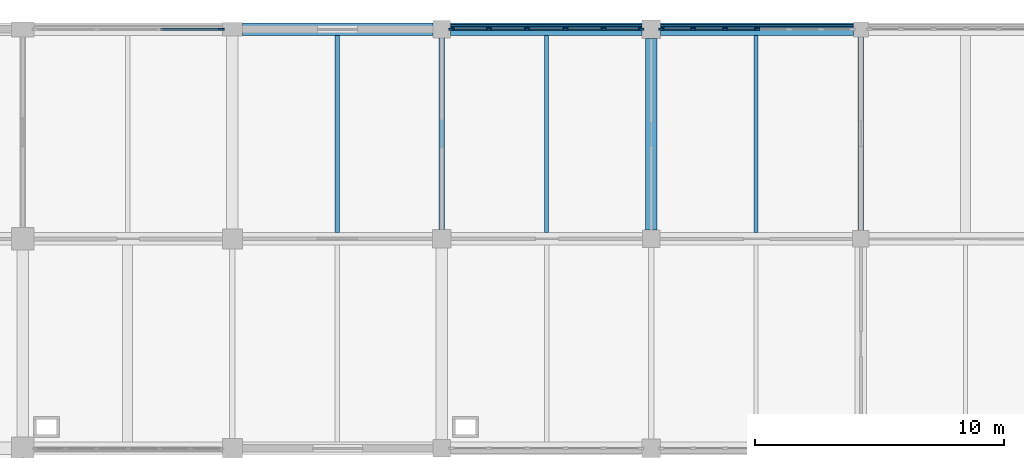
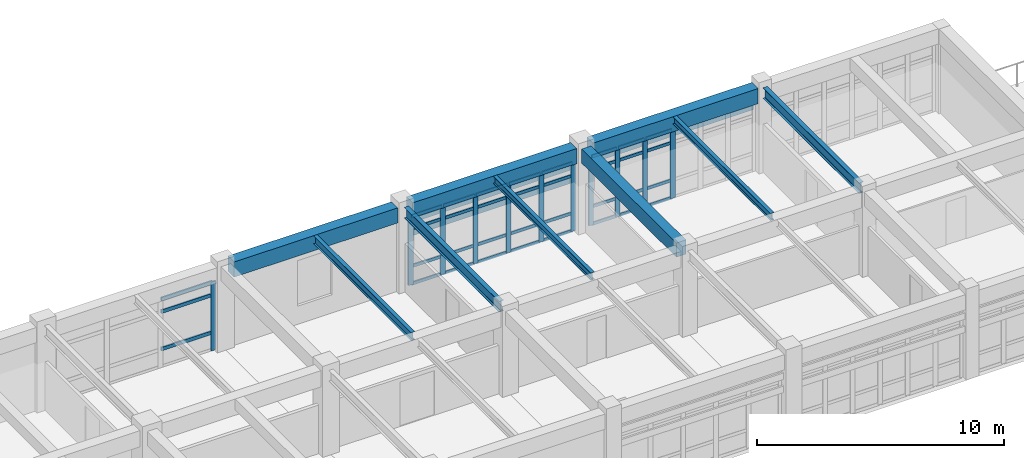
# One storey, part 55 of 99: 49 members, 9 beams, 3 elements without a shape of their own.
"""IFC4 building model written with IfcOpenShell, lengths in metres."""

from ifc_helpers import new_model, si_unit, direction, frame, origin, origin_2d, place, context, subcontext, project, spatial, rectangle, i_section, extrude, material, layer, layer_set, material_profile, profile_set, type_object, element, aggregate, save


model = new_model("IFC4")

# Units and contexts
model_context = context("Model", 3, precision=1e-05, world=origin(), true_north=direction((0.0, 1.0)))
body_context = subcontext(model_context, "Body", "Model", "MODEL_VIEW")
ifc_project = project(units=[si_unit("LENGTHUNIT", "METRE"), si_unit("AREAUNIT", "SQUARE_METRE"), si_unit("VOLUMEUNIT", "CUBIC_METRE"), si_unit("PLANEANGLEUNIT", "RADIAN"), si_unit("MASSUNIT", "GRAM", prefix="KILO")], contexts=[model_context])

# Site, building, storey
site_placement = place(None, origin())
site = spatial("IfcSite", under=ifc_project, at=site_placement, CompositionType="ELEMENT")
building_placement = place(site_placement, origin())
building = spatial("IfcBuilding", under=site, at=building_placement, Name="Porcellanite Civic Hall", CompositionType="ELEMENT")
storey_placement = place(building_placement, frame((0.0, 0.0, 5.760009765625)))
storey = spatial("IfcBuildingStorey", under=building, at=storey_placement, Name="L01", CompositionType="ELEMENT", Elevation=5.760009765625)

# Beams
ifc_material_1 = material(Name="Concrete N50 (50 MPa)", Category="concrete")
ifc_material_profile_1 = material_profile(ifc_material_1, rectangle(XDim=0.449951171875, YDim=0.699951171875, at=origin_2d()), Name="RC-450x700")
ifc_profile_set_1 = profile_set([ifc_material_profile_1], Name="Concrete N50 (50 MPa)")
beam_type_1 = type_object("IfcBeamType", Name="BM-RC700", PredefinedType="BEAM", material=ifc_profile_set_1)
beam_1_placement = place(storey_placement, frame((151.199951171875, 109.549560546875, 3.85009765625), z_axis=(0.0, 1.0, 0.0), x_axis=(-1.0, 0.0, 0.0)))
element("IfcBeam", 1, at=beam_1_placement, inside=storey, type_object=beam_type_1, Name="Beam Y L01 19-14", PredefinedType="BEAM", context=body_context, shape_type="SweptSolid", body=[
    extrude(rectangle(XDim=0.449951171875, YDim=0.699951171875, at=origin_2d()), origin(), (0.0, 0.0, 1.0), 7.676025390625),
])
ifc_material_2 = material(Name="Concrete N50 (50 MPa)", Category="concrete")
ifc_material_profile_2 = material_profile(ifc_material_2, rectangle(XDim=0.5, YDim=0.75, at=origin_2d()), Name="RC-500x750")
ifc_profile_set_2 = profile_set([ifc_material_profile_2], Name="Concrete N50 (50 MPa)")
beam_type_2 = type_object("IfcBeamType", Name="BM-RC750", PredefinedType="SPANDREL", material=ifc_profile_set_2)
beam_2_placement = place(storey_placement, frame((134.799560546875, 117.60009765625, 3.824951171875), z_axis=(1.0, 0.0, 0.0), x_axis=(0.0, 1.0, 0.0)))
element("IfcBeam", 2, at=beam_2_placement, inside=storey, type_object=beam_type_2, Name="Beam X L01 17-15", PredefinedType="SPANDREL", context=body_context, shape_type="SweptSolid", body=[
    extrude(rectangle(XDim=0.5, YDim=0.75, at=origin_2d()), origin(), (0.0, 0.0, 1.0), 7.65087890625),
])
beam_3_placement = place(storey_placement, frame((143.1494140625, 117.60009765625, 3.824951171875), z_axis=(1.0, 0.0, 0.0), x_axis=(0.0, 1.0, 0.0)))
element("IfcBeam", 3, at=beam_3_placement, inside=storey, type_object=beam_type_2, Name="Beam X L01 18-15", PredefinedType="SPANDREL", context=body_context, shape_type="SweptSolid", body=[
    extrude(rectangle(XDim=0.5, YDim=0.75, at=origin_2d()), origin(), (0.0, 0.0, 1.0), 7.676025390625),
])
beam_4_placement = place(storey_placement, frame((151.574462890625, 117.60009765625, 3.824951171875), z_axis=(1.0, 0.0, 0.0), x_axis=(0.0, 1.0, 0.0)))
element("IfcBeam", 4, at=beam_4_placement, inside=storey, type_object=beam_type_2, Name="Beam X L01 19-15", PredefinedType="SPANDREL", context=body_context, shape_type="SweptSolid", body=[
    extrude(rectangle(XDim=0.5, YDim=0.75, at=origin_2d()), origin(), (0.0, 0.0, 1.0), 7.72607421875),
])

# Curtain wall, member
ifc_material_3 = material(Name="Anodised aluminium and solar laminated glass", Category="aluminium")
ifc_layer_1 = layer(ifc_material_3, 0.179931640625)
ifc_layer_set_1 = layer_set([ifc_layer_1], Name="Anodised aluminium and solar laminated glass")
curtain_wall_type_1 = type_object("IfcCurtainWallType", Name="CW-SYS08", PredefinedType="NOTDEFINED", material=ifc_layer_set_1)
curtain_wall_1_placement = place(storey_placement, origin())
curtain_wall_1 = element("IfcCurtainWall", 5, at=curtain_wall_1_placement, inside=storey, type_object=curtain_wall_type_1, Name="Curtain wall CW-118", PredefinedType="NOTDEFINED")
ifc_material_4 = material(Name="Anodised aluminium 6063-T6", Category="aluminium")
ifc_material_profile_3 = material_profile(ifc_material_4, rectangle(XDim=0.080078125, YDim=0.239990234375, at=origin_2d()), Name="AL-80x240")
ifc_profile_set_3 = profile_set([ifc_material_profile_3], Name="Anodised aluminium 6063-T6")
member_type_1 = type_object("IfcMemberType", Name="CWM-01", PredefinedType="MULLION", material=ifc_profile_set_3)
member_1_placement = place(storey_placement, frame((133.958984375, 117.60009765625, 0.0), z_axis=(0.0, 0.0, 1.0), x_axis=(0.0, 1.0, 0.0)))
member_1 = element("IfcMember", 6, at=member_1_placement, type_object=member_type_1, Name="CW-118 mullion 4", PredefinedType="MULLION", context=body_context, shape_type="SweptSolid", body=[
    extrude(rectangle(XDim=0.080078125, YDim=0.239990234375, at=origin_2d()), origin(), (0.0, 0.0, 1.0), 3.39990234375),
])

# Curtain wall, members
ifc_material_5 = material(Name="Anodised aluminium and solar laminated glass", Category="aluminium")
ifc_layer_2 = layer(ifc_material_5, 0.179931640625)
ifc_layer_set_2 = layer_set([ifc_layer_2], Name="Anodised aluminium and solar laminated glass")
curtain_wall_type_2 = type_object("IfcCurtainWallType", Name="CW-SYS02", PredefinedType="NOTDEFINED", material=ifc_layer_set_2)
curtain_wall_2_placement = place(storey_placement, origin())
curtain_wall_2 = element("IfcCurtainWall", 7, at=curtain_wall_2_placement, inside=storey, type_object=curtain_wall_type_2, Name="Curtain wall CW-122", PredefinedType="NOTDEFINED")
ifc_material_6 = material(Name="Anodised aluminium 6063-T6", Category="aluminium")
ifc_material_profile_4 = material_profile(ifc_material_6, rectangle(XDim=0.074951171875, YDim=0.219970703125, at=origin_2d()), Name="AL-75x220")
ifc_profile_set_4 = profile_set([ifc_material_profile_4], Name="Anodised aluminium 6063-T6")
member_type_2 = type_object("IfcMemberType", Name="CWM-03", PredefinedType="MULLION", material=ifc_profile_set_4)
member_2_placement = place(storey_placement, frame((143.1884765625, 117.60009765625, 0.0), z_axis=(0.0, 0.0, 1.0), x_axis=(0.0, 1.0, 0.0)))
member_2 = element("IfcMember", 8, at=member_2_placement, type_object=member_type_2, Name="CW-122 mullion 1", PredefinedType="MULLION", context=body_context, shape_type="SweptSolid", body=[
    extrude(rectangle(XDim=0.074951171875, YDim=0.219970703125, at=origin_2d()), origin(), (0.0, 0.0, 1.0), 3.39990234375),
])
member_3_placement = place(storey_placement, frame((144.685546875, 117.60009765625, 0.0), z_axis=(0.0, 0.0, 1.0), x_axis=(0.0, 1.0, 0.0)))
member_3 = element("IfcMember", 9, at=member_3_placement, type_object=member_type_2, Name="CW-122 mullion 2", PredefinedType="MULLION", context=body_context, shape_type="SweptSolid", body=[
    extrude(rectangle(XDim=0.074951171875, YDim=0.219970703125, at=origin_2d()), origin(), (0.0, 0.0, 1.0), 3.39990234375),
])
member_4_placement = place(storey_placement, frame((146.22021484375, 117.60009765625, 0.0), z_axis=(0.0, 0.0, 1.0), x_axis=(0.0, 1.0, 0.0)))
member_4 = element("IfcMember", 10, at=member_4_placement, type_object=member_type_2, Name="CW-122 mullion 3", PredefinedType="MULLION", context=body_context, shape_type="SweptSolid", body=[
    extrude(rectangle(XDim=0.074951171875, YDim=0.219970703125, at=origin_2d()), origin(), (0.0, 0.0, 1.0), 3.39990234375),
])
member_5_placement = place(storey_placement, frame((147.7548828125, 117.60009765625, 0.0), z_axis=(0.0, 0.0, 1.0), x_axis=(0.0, 1.0, 0.0)))
member_5 = element("IfcMember", 11, at=member_5_placement, type_object=member_type_2, Name="CW-122 mullion 4", PredefinedType="MULLION", context=body_context, shape_type="SweptSolid", body=[
    extrude(rectangle(XDim=0.074951171875, YDim=0.219970703125, at=origin_2d()), origin(), (0.0, 0.0, 1.0), 3.39990234375),
])
member_6_placement = place(storey_placement, frame((149.289306640625, 117.60009765625, 0.0), z_axis=(0.0, 0.0, 1.0), x_axis=(0.0, 1.0, 0.0)))
member_6 = element("IfcMember", 12, at=member_6_placement, type_object=member_type_2, Name="CW-122 mullion 5", PredefinedType="MULLION", context=body_context, shape_type="SweptSolid", body=[
    extrude(rectangle(XDim=0.074951171875, YDim=0.219970703125, at=origin_2d()), origin(), (0.0, 0.0, 1.0), 3.39990234375),
])
member_7_placement = place(storey_placement, frame((150.78662109375, 117.60009765625, 0.0), z_axis=(0.0, 0.0, 1.0), x_axis=(0.0, 1.0, 0.0)))
member_7 = element("IfcMember", 13, at=member_7_placement, type_object=member_type_2, Name="CW-122 mullion 6", PredefinedType="MULLION", context=body_context, shape_type="SweptSolid", body=[
    extrude(rectangle(XDim=0.074951171875, YDim=0.219970703125, at=origin_2d()), origin(), (0.0, 0.0, 1.0), 3.39990234375),
])

curtain_wall_3_placement = place(storey_placement, origin())
curtain_wall_3 = element("IfcCurtainWall", 14, at=curtain_wall_3_placement, inside=storey, type_object=curtain_wall_type_2, Name="Curtain wall CW-125", PredefinedType="NOTDEFINED")
member_8_placement = place(storey_placement, frame((151.613525390625, 117.60009765625, 0.0), z_axis=(0.0, 0.0, 1.0), x_axis=(0.0, 1.0, 0.0)))
member_8 = element("IfcMember", 15, at=member_8_placement, type_object=member_type_2, Name="CW-125 mullion 1", PredefinedType="MULLION", context=body_context, shape_type="SweptSolid", body=[
    extrude(rectangle(XDim=0.074951171875, YDim=0.219970703125, at=origin_2d()), origin(), (0.0, 0.0, 1.0), 3.39990234375),
])
member_9_placement = place(storey_placement, frame((152.86328125, 117.60009765625, 0.0), z_axis=(0.0, 0.0, 1.0), x_axis=(0.0, 1.0, 0.0)))
member_9 = element("IfcMember", 16, at=member_9_placement, type_object=member_type_2, Name="CW-125 mullion 2", PredefinedType="MULLION", context=body_context, shape_type="SweptSolid", body=[
    extrude(rectangle(XDim=0.074951171875, YDim=0.219970703125, at=origin_2d()), origin(), (0.0, 0.0, 1.0), 3.39990234375),
])
member_10_placement = place(storey_placement, frame((154.150390625, 117.60009765625, 0.0), z_axis=(0.0, 0.0, 1.0), x_axis=(0.0, 1.0, 0.0)))
member_10 = element("IfcMember", 17, at=member_10_placement, type_object=member_type_2, Name="CW-125 mullion 3", PredefinedType="MULLION", context=body_context, shape_type="SweptSolid", body=[
    extrude(rectangle(XDim=0.074951171875, YDim=0.219970703125, at=origin_2d()), origin(), (0.0, 0.0, 1.0), 3.39990234375),
])
member_11_placement = place(storey_placement, frame((155.4375, 117.60009765625, 0.0), z_axis=(0.0, 0.0, 1.0), x_axis=(0.0, 1.0, 0.0)))
member_11 = element("IfcMember", 18, at=member_11_placement, type_object=member_type_2, Name="CW-125 mullion 4", PredefinedType="MULLION", context=body_context, shape_type="SweptSolid", body=[
    extrude(rectangle(XDim=0.074951171875, YDim=0.219970703125, at=origin_2d()), origin(), (0.0, 0.0, 1.0), 3.39990234375),
])

# Member
ifc_material_7 = material(Name="Anodised aluminium 6063-T6", Category="aluminium")
ifc_material_profile_5 = material_profile(ifc_material_7, rectangle(XDim=0.070068359375, YDim=0.175048828125, at=origin_2d()), Name="AL-70x175")
ifc_profile_set_5 = profile_set([ifc_material_profile_5], Name="Anodised aluminium 6063-T6")
member_type_3 = type_object("IfcMemberType", Name="CWT-01", PredefinedType="USERDEFINED", material=ifc_profile_set_5)
member_12_placement = place(storey_placement, frame((131.52294921875, 117.60009765625, 0.89990234375), z_axis=(1.0, 0.0, 0.0), x_axis=(0.0, 1.0, 0.0)))
member_12 = element("IfcMember", 19, at=member_12_placement, type_object=member_type_3, Name="CW-118 transom 3.2", ObjectType="TRANSOM", PredefinedType="USERDEFINED", context=body_context, shape_type="SweptSolid", body=[
    extrude(rectangle(XDim=0.070068359375, YDim=0.175048828125, at=origin_2d()), origin(), (0.0, 0.0, 1.0), 2.39599609375),
])

member_13_placement = place(storey_placement, frame((131.52294921875, 117.60009765625, 2.75), z_axis=(1.0, 0.0, 0.0), x_axis=(0.0, 1.0, 0.0)))
member_13 = element("IfcMember", 20, at=member_13_placement, type_object=member_type_3, Name="CW-118 transom 3.3", ObjectType="TRANSOM", PredefinedType="USERDEFINED", context=body_context, shape_type="SweptSolid", body=[
    extrude(rectangle(XDim=0.070068359375, YDim=0.175048828125, at=origin_2d()), origin(), (0.0, 0.0, 1.0), 2.39599609375),
])

member_14_placement = place(storey_placement, frame((131.52294921875, 117.60009765625, 3.364990234375), z_axis=(1.0, 0.0, 0.0), x_axis=(0.0, 1.0, 0.0)))
member_14 = element("IfcMember", 21, at=member_14_placement, type_object=member_type_3, Name="CW-118 transom 3.4", ObjectType="TRANSOM", PredefinedType="USERDEFINED", context=body_context, shape_type="SweptSolid", body=[
    extrude(rectangle(XDim=0.070068359375, YDim=0.175048828125, at=origin_2d()), origin(), (0.0, 0.0, 1.0), 2.39599609375),
])

aggregate(curtain_wall_1, [member_1, member_12, member_13, member_14])

ifc_material_8 = material(Name="Anodised aluminium 6063-T6", Category="aluminium")
ifc_material_profile_6 = material_profile(ifc_material_8, rectangle(XDim=0.06494140625, YDim=0.14990234375, at=origin_2d()), Name="AL-65x150")
ifc_profile_set_6 = profile_set([ifc_material_profile_6], Name="Anodised aluminium 6063-T6")
member_type_4 = type_object("IfcMemberType", Name="CWT-02", PredefinedType="USERDEFINED", material=ifc_profile_set_6)
member_15_placement = place(storey_placement, frame((143.22607421875, 117.60009765625, 0.032470703125), z_axis=(1.0, 0.0, 0.0), x_axis=(0.0, 1.0, 0.0)))
member_15 = element("IfcMember", 22, at=member_15_placement, type_object=member_type_4, Name="CW-122 transom 1.1", ObjectType="TRANSOM", PredefinedType="USERDEFINED", context=body_context, shape_type="SweptSolid", body=[
    extrude(rectangle(XDim=0.06494140625, YDim=0.14990234375, at=origin_2d()), origin(), (0.0, 0.0, 1.0), 1.422119140625),
])

member_16_placement = place(storey_placement, frame((143.22607421875, 117.60009765625, 0.89990234375), z_axis=(1.0, 0.0, 0.0), x_axis=(0.0, 1.0, 0.0)))
member_16 = element("IfcMember", 23, at=member_16_placement, type_object=member_type_4, Name="CW-122 transom 1.2", ObjectType="TRANSOM", PredefinedType="USERDEFINED", context=body_context, shape_type="SweptSolid", body=[
    extrude(rectangle(XDim=0.06494140625, YDim=0.14990234375, at=origin_2d()), origin(), (0.0, 0.0, 1.0), 1.422119140625),
])

member_17_placement = place(storey_placement, frame((143.22607421875, 117.60009765625, 2.75), z_axis=(1.0, 0.0, 0.0), x_axis=(0.0, 1.0, 0.0)))
member_17 = element("IfcMember", 24, at=member_17_placement, type_object=member_type_4, Name="CW-122 transom 1.3", ObjectType="TRANSOM", PredefinedType="USERDEFINED", context=body_context, shape_type="SweptSolid", body=[
    extrude(rectangle(XDim=0.06494140625, YDim=0.14990234375, at=origin_2d()), origin(), (0.0, 0.0, 1.0), 1.422119140625),
])

member_18_placement = place(storey_placement, frame((143.22607421875, 117.60009765625, 3.367431640625), z_axis=(1.0, 0.0, 0.0), x_axis=(0.0, 1.0, 0.0)))
member_18 = element("IfcMember", 25, at=member_18_placement, type_object=member_type_4, Name="CW-122 transom 1.4", ObjectType="TRANSOM", PredefinedType="USERDEFINED", context=body_context, shape_type="SweptSolid", body=[
    extrude(rectangle(XDim=0.06494140625, YDim=0.14990234375, at=origin_2d()), origin(), (0.0, 0.0, 1.0), 1.422119140625),
])

member_19_placement = place(storey_placement, frame((144.72314453125, 117.60009765625, 0.032470703125), z_axis=(1.0, 0.0, 0.0), x_axis=(0.0, 1.0, 0.0)))
member_19 = element("IfcMember", 26, at=member_19_placement, type_object=member_type_4, Name="CW-122 transom 2.1", ObjectType="TRANSOM", PredefinedType="USERDEFINED", context=body_context, shape_type="SweptSolid", body=[
    extrude(rectangle(XDim=0.06494140625, YDim=0.14990234375, at=origin_2d()), origin(), (0.0, 0.0, 1.0), 1.45947265625),
])

member_20_placement = place(storey_placement, frame((144.72314453125, 117.60009765625, 0.89990234375), z_axis=(1.0, 0.0, 0.0), x_axis=(0.0, 1.0, 0.0)))
member_20 = element("IfcMember", 27, at=member_20_placement, type_object=member_type_4, Name="CW-122 transom 2.2", ObjectType="TRANSOM", PredefinedType="USERDEFINED", context=body_context, shape_type="SweptSolid", body=[
    extrude(rectangle(XDim=0.06494140625, YDim=0.14990234375, at=origin_2d()), origin(), (0.0, 0.0, 1.0), 1.45947265625),
])

member_21_placement = place(storey_placement, frame((144.72314453125, 117.60009765625, 2.75), z_axis=(1.0, 0.0, 0.0), x_axis=(0.0, 1.0, 0.0)))
member_21 = element("IfcMember", 28, at=member_21_placement, type_object=member_type_4, Name="CW-122 transom 2.3", ObjectType="TRANSOM", PredefinedType="USERDEFINED", context=body_context, shape_type="SweptSolid", body=[
    extrude(rectangle(XDim=0.06494140625, YDim=0.14990234375, at=origin_2d()), origin(), (0.0, 0.0, 1.0), 1.45947265625),
])

member_22_placement = place(storey_placement, frame((144.72314453125, 117.60009765625, 3.367431640625), z_axis=(1.0, 0.0, 0.0), x_axis=(0.0, 1.0, 0.0)))
member_22 = element("IfcMember", 29, at=member_22_placement, type_object=member_type_4, Name="CW-122 transom 2.4", ObjectType="TRANSOM", PredefinedType="USERDEFINED", context=body_context, shape_type="SweptSolid", body=[
    extrude(rectangle(XDim=0.06494140625, YDim=0.14990234375, at=origin_2d()), origin(), (0.0, 0.0, 1.0), 1.45947265625),
])

member_23_placement = place(storey_placement, frame((146.2578125, 117.60009765625, 0.032470703125), z_axis=(1.0, 0.0, 0.0), x_axis=(0.0, 1.0, 0.0)))
member_23 = element("IfcMember", 30, at=member_23_placement, type_object=member_type_4, Name="CW-122 transom 3.1", ObjectType="TRANSOM", PredefinedType="USERDEFINED", context=body_context, shape_type="SweptSolid", body=[
    extrude(rectangle(XDim=0.06494140625, YDim=0.14990234375, at=origin_2d()), origin(), (0.0, 0.0, 1.0), 1.45947265625),
])

member_24_placement = place(storey_placement, frame((146.2578125, 117.60009765625, 0.89990234375), z_axis=(1.0, 0.0, 0.0), x_axis=(0.0, 1.0, 0.0)))
member_24 = element("IfcMember", 31, at=member_24_placement, type_object=member_type_4, Name="CW-122 transom 3.2", ObjectType="TRANSOM", PredefinedType="USERDEFINED", context=body_context, shape_type="SweptSolid", body=[
    extrude(rectangle(XDim=0.06494140625, YDim=0.14990234375, at=origin_2d()), origin(), (0.0, 0.0, 1.0), 1.45947265625),
])

member_25_placement = place(storey_placement, frame((146.2578125, 117.60009765625, 2.75), z_axis=(1.0, 0.0, 0.0), x_axis=(0.0, 1.0, 0.0)))
member_25 = element("IfcMember", 32, at=member_25_placement, type_object=member_type_4, Name="CW-122 transom 3.3", ObjectType="TRANSOM", PredefinedType="USERDEFINED", context=body_context, shape_type="SweptSolid", body=[
    extrude(rectangle(XDim=0.06494140625, YDim=0.14990234375, at=origin_2d()), origin(), (0.0, 0.0, 1.0), 1.45947265625),
])

member_26_placement = place(storey_placement, frame((146.2578125, 117.60009765625, 3.367431640625), z_axis=(1.0, 0.0, 0.0), x_axis=(0.0, 1.0, 0.0)))
member_26 = element("IfcMember", 33, at=member_26_placement, type_object=member_type_4, Name="CW-122 transom 3.4", ObjectType="TRANSOM", PredefinedType="USERDEFINED", context=body_context, shape_type="SweptSolid", body=[
    extrude(rectangle(XDim=0.06494140625, YDim=0.14990234375, at=origin_2d()), origin(), (0.0, 0.0, 1.0), 1.45947265625),
])

member_27_placement = place(storey_placement, frame((147.792236328125, 117.60009765625, 0.032470703125), z_axis=(1.0, 0.0, 0.0), x_axis=(0.0, 1.0, 0.0)))
member_27 = element("IfcMember", 34, at=member_27_placement, type_object=member_type_4, Name="CW-122 transom 4.1", ObjectType="TRANSOM", PredefinedType="USERDEFINED", context=body_context, shape_type="SweptSolid", body=[
    extrude(rectangle(XDim=0.06494140625, YDim=0.14990234375, at=origin_2d()), origin(), (0.0, 0.0, 1.0), 1.459716796875),
])

member_28_placement = place(storey_placement, frame((147.792236328125, 117.60009765625, 0.89990234375), z_axis=(1.0, 0.0, 0.0), x_axis=(0.0, 1.0, 0.0)))
member_28 = element("IfcMember", 35, at=member_28_placement, type_object=member_type_4, Name="CW-122 transom 4.2", ObjectType="TRANSOM", PredefinedType="USERDEFINED", context=body_context, shape_type="SweptSolid", body=[
    extrude(rectangle(XDim=0.06494140625, YDim=0.14990234375, at=origin_2d()), origin(), (0.0, 0.0, 1.0), 1.459716796875),
])

member_29_placement = place(storey_placement, frame((147.792236328125, 117.60009765625, 2.75), z_axis=(1.0, 0.0, 0.0), x_axis=(0.0, 1.0, 0.0)))
member_29 = element("IfcMember", 36, at=member_29_placement, type_object=member_type_4, Name="CW-122 transom 4.3", ObjectType="TRANSOM", PredefinedType="USERDEFINED", context=body_context, shape_type="SweptSolid", body=[
    extrude(rectangle(XDim=0.06494140625, YDim=0.14990234375, at=origin_2d()), origin(), (0.0, 0.0, 1.0), 1.459716796875),
])

member_30_placement = place(storey_placement, frame((147.792236328125, 117.60009765625, 3.367431640625), z_axis=(1.0, 0.0, 0.0), x_axis=(0.0, 1.0, 0.0)))
member_30 = element("IfcMember", 37, at=member_30_placement, type_object=member_type_4, Name="CW-122 transom 4.4", ObjectType="TRANSOM", PredefinedType="USERDEFINED", context=body_context, shape_type="SweptSolid", body=[
    extrude(rectangle(XDim=0.06494140625, YDim=0.14990234375, at=origin_2d()), origin(), (0.0, 0.0, 1.0), 1.459716796875),
])

member_31_placement = place(storey_placement, frame((149.326904296875, 117.60009765625, 0.032470703125), z_axis=(1.0, 0.0, 0.0), x_axis=(0.0, 1.0, 0.0)))
member_31 = element("IfcMember", 38, at=member_31_placement, type_object=member_type_4, Name="CW-122 transom 5.1", ObjectType="TRANSOM", PredefinedType="USERDEFINED", context=body_context, shape_type="SweptSolid", body=[
    extrude(rectangle(XDim=0.06494140625, YDim=0.14990234375, at=origin_2d()), origin(), (0.0, 0.0, 1.0), 1.422119140625),
])

member_32_placement = place(storey_placement, frame((149.326904296875, 117.60009765625, 0.89990234375), z_axis=(1.0, 0.0, 0.0), x_axis=(0.0, 1.0, 0.0)))
member_32 = element("IfcMember", 39, at=member_32_placement, type_object=member_type_4, Name="CW-122 transom 5.2", ObjectType="TRANSOM", PredefinedType="USERDEFINED", context=body_context, shape_type="SweptSolid", body=[
    extrude(rectangle(XDim=0.06494140625, YDim=0.14990234375, at=origin_2d()), origin(), (0.0, 0.0, 1.0), 1.422119140625),
])

member_33_placement = place(storey_placement, frame((149.326904296875, 117.60009765625, 2.75), z_axis=(1.0, 0.0, 0.0), x_axis=(0.0, 1.0, 0.0)))
member_33 = element("IfcMember", 40, at=member_33_placement, type_object=member_type_4, Name="CW-122 transom 5.3", ObjectType="TRANSOM", PredefinedType="USERDEFINED", context=body_context, shape_type="SweptSolid", body=[
    extrude(rectangle(XDim=0.06494140625, YDim=0.14990234375, at=origin_2d()), origin(), (0.0, 0.0, 1.0), 1.422119140625),
])

member_34_placement = place(storey_placement, frame((149.326904296875, 117.60009765625, 3.367431640625), z_axis=(1.0, 0.0, 0.0), x_axis=(0.0, 1.0, 0.0)))
member_34 = element("IfcMember", 41, at=member_34_placement, type_object=member_type_4, Name="CW-122 transom 5.4", ObjectType="TRANSOM", PredefinedType="USERDEFINED", context=body_context, shape_type="SweptSolid", body=[
    extrude(rectangle(XDim=0.06494140625, YDim=0.14990234375, at=origin_2d()), origin(), (0.0, 0.0, 1.0), 1.422119140625),
])

aggregate(curtain_wall_2, [member_2, member_3, member_4, member_5, member_6, member_7, member_15, member_16, member_17, member_18, member_19, member_20, member_21, member_22, member_23, member_24, member_25, member_26, member_27, member_28, member_29, member_30, member_31, member_32, member_33, member_34])

member_35_placement = place(storey_placement, frame((151.65087890625, 117.60009765625, 0.032470703125), z_axis=(1.0, 0.0, 0.0), x_axis=(0.0, 1.0, 0.0)))
member_35 = element("IfcMember", 42, at=member_35_placement, type_object=member_type_4, Name="CW-125 transom 1.1", ObjectType="TRANSOM", PredefinedType="USERDEFINED", context=body_context, shape_type="SweptSolid", body=[
    extrude(rectangle(XDim=0.06494140625, YDim=0.14990234375, at=origin_2d()), origin(), (0.0, 0.0, 1.0), 1.1748046875),
])

member_36_placement = place(storey_placement, frame((151.65087890625, 117.60009765625, 0.89990234375), z_axis=(1.0, 0.0, 0.0), x_axis=(0.0, 1.0, 0.0)))
member_36 = element("IfcMember", 43, at=member_36_placement, type_object=member_type_4, Name="CW-125 transom 1.2", ObjectType="TRANSOM", PredefinedType="USERDEFINED", context=body_context, shape_type="SweptSolid", body=[
    extrude(rectangle(XDim=0.06494140625, YDim=0.14990234375, at=origin_2d()), origin(), (0.0, 0.0, 1.0), 1.1748046875),
])

member_37_placement = place(storey_placement, frame((151.65087890625, 117.60009765625, 2.75), z_axis=(1.0, 0.0, 0.0), x_axis=(0.0, 1.0, 0.0)))
member_37 = element("IfcMember", 44, at=member_37_placement, type_object=member_type_4, Name="CW-125 transom 1.3", ObjectType="TRANSOM", PredefinedType="USERDEFINED", context=body_context, shape_type="SweptSolid", body=[
    extrude(rectangle(XDim=0.06494140625, YDim=0.14990234375, at=origin_2d()), origin(), (0.0, 0.0, 1.0), 1.1748046875),
])

member_38_placement = place(storey_placement, frame((151.65087890625, 117.60009765625, 3.367431640625), z_axis=(1.0, 0.0, 0.0), x_axis=(0.0, 1.0, 0.0)))
member_38 = element("IfcMember", 45, at=member_38_placement, type_object=member_type_4, Name="CW-125 transom 1.4", ObjectType="TRANSOM", PredefinedType="USERDEFINED", context=body_context, shape_type="SweptSolid", body=[
    extrude(rectangle(XDim=0.06494140625, YDim=0.14990234375, at=origin_2d()), origin(), (0.0, 0.0, 1.0), 1.1748046875),
])

member_39_placement = place(storey_placement, frame((152.900634765625, 117.60009765625, 0.032470703125), z_axis=(1.0, 0.0, 0.0), x_axis=(0.0, 1.0, 0.0)))
member_39 = element("IfcMember", 46, at=member_39_placement, type_object=member_type_4, Name="CW-125 transom 2.1", ObjectType="TRANSOM", PredefinedType="USERDEFINED", context=body_context, shape_type="SweptSolid", body=[
    extrude(rectangle(XDim=0.06494140625, YDim=0.14990234375, at=origin_2d()), origin(), (0.0, 0.0, 1.0), 1.212158203125),
])

member_40_placement = place(storey_placement, frame((152.900634765625, 117.60009765625, 0.89990234375), z_axis=(1.0, 0.0, 0.0), x_axis=(0.0, 1.0, 0.0)))
member_40 = element("IfcMember", 47, at=member_40_placement, type_object=member_type_4, Name="CW-125 transom 2.2", ObjectType="TRANSOM", PredefinedType="USERDEFINED", context=body_context, shape_type="SweptSolid", body=[
    extrude(rectangle(XDim=0.06494140625, YDim=0.14990234375, at=origin_2d()), origin(), (0.0, 0.0, 1.0), 1.212158203125),
])

member_41_placement = place(storey_placement, frame((152.900634765625, 117.60009765625, 2.75), z_axis=(1.0, 0.0, 0.0), x_axis=(0.0, 1.0, 0.0)))
member_41 = element("IfcMember", 48, at=member_41_placement, type_object=member_type_4, Name="CW-125 transom 2.3", ObjectType="TRANSOM", PredefinedType="USERDEFINED", context=body_context, shape_type="SweptSolid", body=[
    extrude(rectangle(XDim=0.06494140625, YDim=0.14990234375, at=origin_2d()), origin(), (0.0, 0.0, 1.0), 1.212158203125),
])

member_42_placement = place(storey_placement, frame((152.900634765625, 117.60009765625, 3.367431640625), z_axis=(1.0, 0.0, 0.0), x_axis=(0.0, 1.0, 0.0)))
member_42 = element("IfcMember", 49, at=member_42_placement, type_object=member_type_4, Name="CW-125 transom 2.4", ObjectType="TRANSOM", PredefinedType="USERDEFINED", context=body_context, shape_type="SweptSolid", body=[
    extrude(rectangle(XDim=0.06494140625, YDim=0.14990234375, at=origin_2d()), origin(), (0.0, 0.0, 1.0), 1.212158203125),
])

member_43_placement = place(storey_placement, frame((154.187744140625, 117.60009765625, 0.032470703125), z_axis=(1.0, 0.0, 0.0), x_axis=(0.0, 1.0, 0.0)))
member_43 = element("IfcMember", 50, at=member_43_placement, type_object=member_type_4, Name="CW-125 transom 3.1", ObjectType="TRANSOM", PredefinedType="USERDEFINED", context=body_context, shape_type="SweptSolid", body=[
    extrude(rectangle(XDim=0.06494140625, YDim=0.14990234375, at=origin_2d()), origin(), (0.0, 0.0, 1.0), 1.212158203125),
])

member_44_placement = place(storey_placement, frame((154.187744140625, 117.60009765625, 0.89990234375), z_axis=(1.0, 0.0, 0.0), x_axis=(0.0, 1.0, 0.0)))
member_44 = element("IfcMember", 51, at=member_44_placement, type_object=member_type_4, Name="CW-125 transom 3.2", ObjectType="TRANSOM", PredefinedType="USERDEFINED", context=body_context, shape_type="SweptSolid", body=[
    extrude(rectangle(XDim=0.06494140625, YDim=0.14990234375, at=origin_2d()), origin(), (0.0, 0.0, 1.0), 1.212158203125),
])

member_45_placement = place(storey_placement, frame((154.187744140625, 117.60009765625, 2.75), z_axis=(1.0, 0.0, 0.0), x_axis=(0.0, 1.0, 0.0)))
member_45 = element("IfcMember", 52, at=member_45_placement, type_object=member_type_4, Name="CW-125 transom 3.3", ObjectType="TRANSOM", PredefinedType="USERDEFINED", context=body_context, shape_type="SweptSolid", body=[
    extrude(rectangle(XDim=0.06494140625, YDim=0.14990234375, at=origin_2d()), origin(), (0.0, 0.0, 1.0), 1.212158203125),
])

member_46_placement = place(storey_placement, frame((154.187744140625, 117.60009765625, 3.367431640625), z_axis=(1.0, 0.0, 0.0), x_axis=(0.0, 1.0, 0.0)))
member_46 = element("IfcMember", 53, at=member_46_placement, type_object=member_type_4, Name="CW-125 transom 3.4", ObjectType="TRANSOM", PredefinedType="USERDEFINED", context=body_context, shape_type="SweptSolid", body=[
    extrude(rectangle(XDim=0.06494140625, YDim=0.14990234375, at=origin_2d()), origin(), (0.0, 0.0, 1.0), 1.212158203125),
])

aggregate(curtain_wall_3, [member_8, member_9, member_10, member_11, member_35, member_36, member_37, member_38, member_39, member_40, member_41, member_42, member_43, member_44, member_45, member_46])

# Beams
ifc_material_9 = material(Name="Steel Grade 350", Category="steel")
ifc_material_profile_7 = material_profile(ifc_material_9, i_section(OverallWidth=0.1708984375, OverallDepth=0.35595703125, WebThickness=0.00732421875, FlangeThickness=0.011474609375, FilletRadius=0.011474609375, at=origin_2d()), Name="360UB50.7")
ifc_profile_set_7 = profile_set([ifc_material_profile_7], Name="Steel Grade 350")
beam_type_3 = type_object("IfcBeamType", Name="JST-360UB51", PredefinedType="JOIST", material=ifc_profile_set_7)
beam_5_placement = place(storey_placement, frame((155.39990234375, 109.449462890625, 4.02197265625), z_axis=(0.0, 1.0, 0.0), x_axis=(-1.0, 0.0, 0.0)))
element("IfcBeam", 54, at=beam_5_placement, inside=storey, type_object=beam_type_3, Name="Secondary joist L01 19-14", PredefinedType="JOIST", context=body_context, shape_type="SweptSolid", body=[
    extrude(i_section(OverallWidth=0.1708984375, OverallDepth=0.35595703125, WebThickness=0.00732421875, FlangeThickness=0.011474609375, FilletRadius=0.011474609375, at=origin_2d()), origin(), (0.0, 0.0, 1.0), 7.901123046875),
])
ifc_material_10 = material(Name="Steel Grade 350", Category="steel")
ifc_material_profile_8 = material_profile(ifc_material_10, i_section(OverallWidth=0.172119140625, OverallDepth=0.35888671875, WebThickness=0.008056640625, FlangeThickness=0.012939453125, FilletRadius=0.011474609375, at=origin_2d()), Name="360UB56.7")
ifc_profile_set_8 = profile_set([ifc_material_profile_8], Name="Steel Grade 350")
beam_type_4 = type_object("IfcBeamType", Name="JST-360UB57", PredefinedType="JOIST", material=ifc_profile_set_8)
beam_6_placement = place(storey_placement, frame((147.0, 109.449462890625, 4.0205078125), z_axis=(0.0, 1.0, 0.0), x_axis=(-1.0, 0.0, 0.0)))
element("IfcBeam", 55, at=beam_6_placement, inside=storey, type_object=beam_type_4, Name="Secondary joist L01 18-14", PredefinedType="JOIST", context=body_context, shape_type="SweptSolid", body=[
    extrude(i_section(OverallWidth=0.172119140625, OverallDepth=0.35888671875, WebThickness=0.008056640625, FlangeThickness=0.012939453125, FilletRadius=0.011474609375, at=origin_2d()), origin(), (0.0, 0.0, 1.0), 7.901123046875),
])
ifc_material_11 = material(Name="Steel Grade 350", Category="steel")
ifc_material_profile_9 = material_profile(ifc_material_11, i_section(OverallWidth=0.177978515625, OverallDepth=0.403076171875, WebThickness=0.007568359375, FlangeThickness=0.010986328125, FilletRadius=0.011474609375, at=origin_2d()), Name="410UB53.7")
ifc_profile_set_9 = profile_set([ifc_material_profile_9], Name="Steel Grade 350")
beam_type_5 = type_object("IfcBeamType", Name="JST-410UB54", PredefinedType="JOIST", material=ifc_profile_set_9)
beam_7_placement = place(storey_placement, frame((138.60009765625, 109.449462890625, 3.99853515625), z_axis=(0.0, 1.0, 0.0), x_axis=(-1.0, 0.0, 0.0)))
element("IfcBeam", 56, at=beam_7_placement, inside=storey, type_object=beam_type_5, Name="Secondary joist L01 17-14", PredefinedType="JOIST", context=body_context, shape_type="SweptSolid", body=[
    extrude(i_section(OverallWidth=0.177978515625, OverallDepth=0.403076171875, WebThickness=0.007568359375, FlangeThickness=0.010986328125, FilletRadius=0.011474609375, at=origin_2d()), origin(), (0.0, 0.0, 1.0), 7.901123046875),
])

# Members
ifc_material_12 = material(Name="Fluoropolymer bauxite-red aluminium 6063-T6", Category="aluminium")
ifc_material_profile_10 = material_profile(ifc_material_12, rectangle(XDim=0.080078125, YDim=0.320068359375, at=origin_2d()), Name="AL-80x320")
ifc_profile_set_10 = profile_set([ifc_material_profile_10], Name="Fluoropolymer bauxite-red aluminium 6063-T6")
member_type_5 = type_object("IfcMemberType", Name="LV-BLD03", PredefinedType="USERDEFINED", material=ifc_profile_set_10)
for number, where, z_axis, x_axis, name in (
    (57, (143.1494140625, 117.751953125, 3.10009765625), (1.0, 0.0, 0.0), (0.0, 1.0, 0.0), "Cyclone sunshade louvre L01 N 17-13 1"),
    (58, (143.1494140625, 117.751953125, 2.449951171875), (1.0, 0.0, 0.0), (0.0, 1.0, 0.0), "Cyclone sunshade louvre L01 N 17-13 2"),
):
    element("IfcMember", number, at=place(storey_placement, frame(where, z_axis=z_axis, x_axis=x_axis)), inside=storey, type_object=member_type_5, Name=name, ObjectType="LOUVRE BLADE", PredefinedType="USERDEFINED", context=body_context, shape_type="SweptSolid", body=[
        extrude(rectangle(XDim=0.080078125, YDim=0.320068359375, at=origin_2d()), origin(), (0.0, 0.0, 1.0), 7.676025390625),
    ])
member_47_placement = place(storey_placement, frame((151.574462890625, 117.751953125, 3.10009765625), z_axis=(1.0, 0.0, 0.0), x_axis=(0.0, 1.0, 0.0)))
element("IfcMember", 59, at=member_47_placement, inside=storey, type_object=member_type_5, Name="Cyclone sunshade louvre L01 N 18-13 1", ObjectType="LOUVRE BLADE", PredefinedType="USERDEFINED", context=body_context, shape_type="SweptSolid", body=[
    extrude(rectangle(XDim=0.080078125, YDim=0.320068359375, at=origin_2d()), origin(), (0.0, 0.0, 1.0), 7.72607421875),
])

# Beams
ifc_material_13 = material(Name="Steel Grade 350", Category="steel")
ifc_material_profile_11 = material_profile(ifc_material_13, i_section(OverallWidth=0.208984375, OverallDepth=0.528076171875, WebThickness=0.009521484375, FlangeThickness=0.01318359375, FilletRadius=0.013916015625, at=origin_2d()), Name="530UB82.0")
ifc_profile_set_11 = profile_set([ifc_material_profile_11], Name="Steel Grade 350")
beam_type_6 = type_object("IfcBeamType", Name="RAF-530UB82", PredefinedType="BEAM", material=ifc_profile_set_11)
beam_8_placement = place(storey_placement, frame((142.800048828125, 109.574462890625, 3.93603515625), z_axis=(0.0, 1.0, 0.0), x_axis=(-1.0, 0.0, 0.0)))
element("IfcBeam", 60, at=beam_8_placement, inside=storey, type_object=beam_type_6, Name="Beam Y L01 18-14", PredefinedType="BEAM", context=body_context, shape_type="SweptSolid", body=[
    extrude(i_section(OverallWidth=0.208984375, OverallDepth=0.528076171875, WebThickness=0.009521484375, FlangeThickness=0.01318359375, FilletRadius=0.013916015625, at=origin_2d()), origin(), (0.0, 0.0, 1.0), 7.676025390625),
])
beam_9_placement = place(storey_placement, frame((159.60009765625, 109.5244140625, 3.93603515625), z_axis=(0.0, 1.0, 0.0), x_axis=(-1.0, 0.0, 0.0)))
element("IfcBeam", 61, at=beam_9_placement, inside=storey, type_object=beam_type_6, Name="Beam Y L01 20-14", PredefinedType="BEAM", context=body_context, shape_type="SweptSolid", body=[
    extrude(i_section(OverallWidth=0.208984375, OverallDepth=0.528076171875, WebThickness=0.009521484375, FlangeThickness=0.01318359375, FilletRadius=0.013916015625, at=origin_2d()), origin(), (0.0, 0.0, 1.0), 7.776123046875),
])

save(model, "model.ifc")
